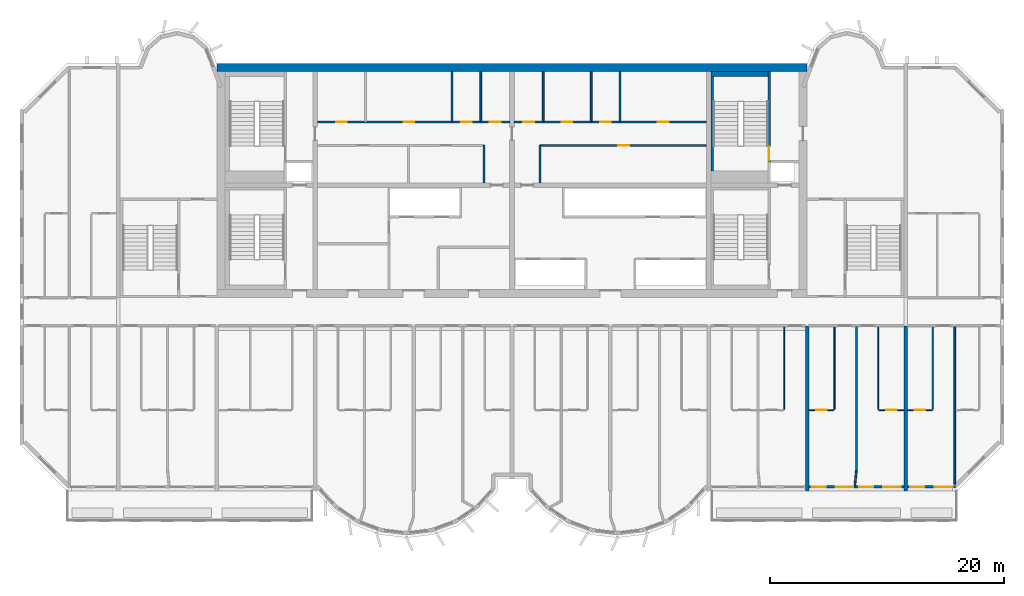
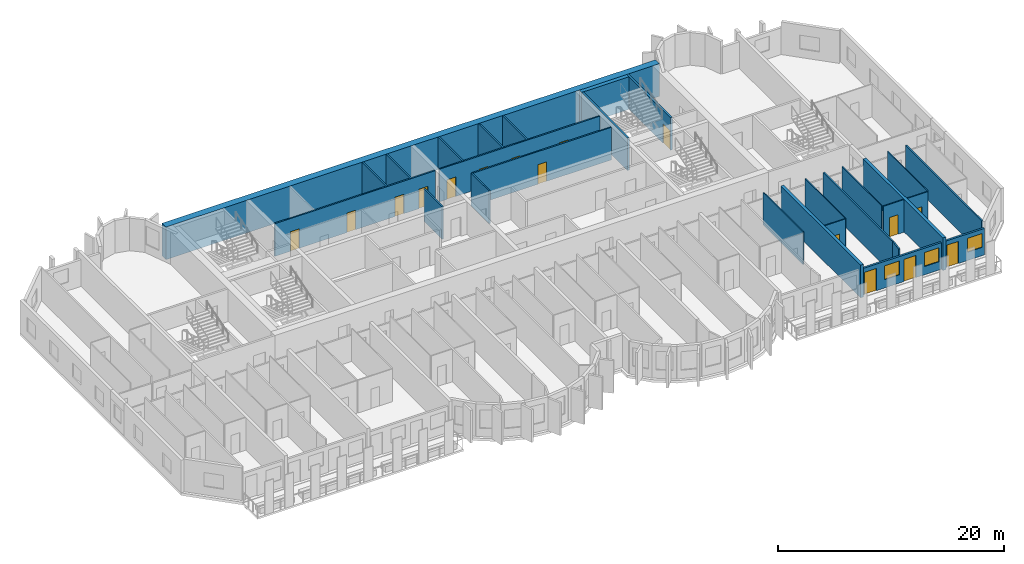
# One storey, part 8 of 13: 28 walls, 16 doors, 3 windows, 19 openings.
"""IFC4 building model written with IfcOpenShell, lengths in metres."""

import ifcopenshell
import ifcopenshell.guid

model = None  # the IFC model being written
_history = None  # IfcOwnerHistory: only IFC2X3 demands one
_inside = {}  # id of a spatial element -> (the spatial element, [elements in it])
_under = {}  # id of a project, library or spatial element -> (it, [spatial elements below it])
_declared = {}  # id of a project -> (the project, [libraries it declares])
_typed = {}  # id of a type object -> (the type object, [elements of that type])
_made_of = {}  # id of a material, layer set ... -> (it, [elements and type objects made of it])


def new_model(schema):
    """Start an empty IFC model of exactly this schema.

    Asked for "IFC4X3", IfcOpenShell would pick the latest addendum, in which some entities
    have other attributes; the version numbers below select the first issue.
    IFC2X3 requires an IfcOwnerHistory on every rooted entity: one is made here for all.
    """
    global model, _history
    if schema == "IFC4X3":
        model = ifcopenshell.file(schema_version=(4, 3, 0, 0))
    else:
        model = ifcopenshell.file(schema=schema)
    _inside.clear()
    _under.clear()
    _declared.clear()
    _typed.clear()
    _made_of.clear()
    _history = None
    if model.schema == "IFC2X3":
        org = make("IfcOrganization", Name="unknown")
        user = make(
            "IfcPersonAndOrganization",
            ThePerson=make("IfcPerson", FamilyName="unknown"),
            TheOrganization=org,
        )
        app = make(
            "IfcApplication",
            ApplicationDeveloper=org,
            Version="unknown",
            ApplicationFullName="unknown",
            ApplicationIdentifier="unknown",
        )
        _history = make(
            "IfcOwnerHistory",
            OwningUser=user,
            OwningApplication=app,
            ChangeAction="ADDED",
            CreationDate=0,
        )
    return model


def make(cls, **values):
    """One entity of the class cls with the attributes given. An attribute that is None is left unset."""
    return model.create_entity(
        cls, **{name: value for name, value in values.items() if value is not None}
    )


def rooted(cls, **values):
    """An entity with a GlobalId (a new one), such as an element, a storey or a relation."""
    return make(cls, GlobalId=ifcopenshell.guid.new(), OwnerHistory=_history, **values)


def si_unit(unit_type, name, prefix=None):
    """IfcSIUnit, for example si_unit("LENGTHUNIT", "METRE", prefix="MILLI")."""
    return make("IfcSIUnit", UnitType=unit_type, Prefix=prefix, Name=name)


def assignment(units):
    """IfcUnitAssignment: the units of a project."""
    return None if units is None else make("IfcUnitAssignment", Units=units)


def point(xyz):
    """IfcCartesianPoint."""
    return None if xyz is None else make("IfcCartesianPoint", Coordinates=xyz)


def direction(xyz):
    """IfcDirection."""
    return None if xyz is None else make("IfcDirection", DirectionRatios=xyz)


def frame(location, z_axis=None, x_axis=None):
    """IfcAxis2Placement3D, a coordinate frame: its origin and axes. An axis left out is left unset."""
    return make(
        "IfcAxis2Placement3D",
        Location=point(location),
        Axis=direction(z_axis),
        RefDirection=direction(x_axis),
    )


def frame_2d(location, x_axis=None):
    """IfcAxis2Placement2D, a coordinate frame in the plane: its origin and x axis."""
    return make(
        "IfcAxis2Placement2D", Location=point(location), RefDirection=direction(x_axis)
    )


def origin():
    """The frame at (0, 0, 0) with its axes left unset."""
    return frame((0.0, 0.0, 0.0))


def place(relative_to, where):
    """IfcLocalPlacement: puts the frame where relative to a parent placement (None: the world)."""
    return make(
        "IfcLocalPlacement", PlacementRelTo=relative_to, RelativePlacement=where
    )


def context(
    kind, dimensions, precision=None, world=None, true_north=None, identifier=None
):
    """IfcGeometricRepresentationContext, for example the 3D "Model" context."""
    return make(
        "IfcGeometricRepresentationContext",
        ContextIdentifier=identifier,
        ContextType=kind,
        CoordinateSpaceDimension=dimensions,
        Precision=precision,
        WorldCoordinateSystem=world,
        TrueNorth=true_north,
    )


def subcontext(parent, identifier, kind, view, scale=None):
    """IfcGeometricRepresentationSubContext, for example "Body" below "Model"."""
    return make(
        "IfcGeometricRepresentationSubContext",
        ContextIdentifier=identifier,
        ContextType=kind,
        ParentContext=parent,
        TargetScale=scale,
        TargetView=view,
    )


def project(units=None, contexts=None):
    """IfcProject with its units and contexts."""
    return rooted(
        "IfcProject",
        Name="project",
        RepresentationContexts=contexts,
        UnitsInContext=assignment(units),
    )


def spatial(cls, under=None, at=None, **own):
    """A site, building, storey or space (cls), placed at a placement, below another one or the project."""
    s = rooted(cls, ObjectPlacement=at, **own)
    if under is not None:
        _under.setdefault(under.id(), (under, []))[1].append(s)
    return s


def profile(cls, at=None, kind="AREA", **sizes):
    """A parametric profile (cls). Its sizes go by their IFC names, for example OverallWidth=200.0."""
    return make(cls, ProfileType=kind, Position=at, **sizes)


def rectangle(**sizes):
    """IfcRectangleProfileDef."""
    return profile("IfcRectangleProfileDef", **sizes)


def extrude(swept, where, along, depth):
    """IfcExtrudedAreaSolid: the profile swept, set in the frame where, extruded along a direction by depth."""
    return make(
        "IfcExtrudedAreaSolid",
        SweptArea=swept,
        Position=where,
        ExtrudedDirection=direction(along),
        Depth=depth,
    )


def shape(context_of_items, identifier, shape_type, items):
    """IfcShapeRepresentation: the items that make up one representation, for example the "Body"."""
    return make(
        "IfcShapeRepresentation",
        ContextOfItems=context_of_items,
        RepresentationIdentifier=identifier,
        RepresentationType=shape_type,
        Items=items,
    )


def source(mapping_origin, context_of_items, identifier, shape_type, items):
    """IfcRepresentationMap: a shape defined once, which mapped items show again and again."""
    return make(
        "IfcRepresentationMap",
        MappingOrigin=mapping_origin,
        MappedRepresentation=shape(context_of_items, identifier, shape_type, items),
    )


def transform(
    local_origin,
    x_axis=None,
    y_axis=None,
    z_axis=None,
    scale=None,
    scale2=None,
    scale3=None,
    uniform=True,
):
    """IfcCartesianTransformationOperator3D, or its non-uniform kind. x_axis, y_axis, z_axis: its Axis1, 2, 3."""
    if uniform:
        return make(
            "IfcCartesianTransformationOperator3D",
            Axis1=direction(x_axis),
            Axis2=direction(y_axis),
            LocalOrigin=point(local_origin),
            Scale=scale,
            Axis3=direction(z_axis),
        )
    return make(
        "IfcCartesianTransformationOperator3DnonUniform",
        Axis1=direction(x_axis),
        Axis2=direction(y_axis),
        LocalOrigin=point(local_origin),
        Scale=scale,
        Axis3=direction(z_axis),
        Scale2=scale2,
        Scale3=scale3,
    )


def mapped(mapping_source, mapping_target):
    """IfcMappedItem: shows the shape of a source again, moved by a transform."""
    return make(
        "IfcMappedItem", MappingSource=mapping_source, MappingTarget=mapping_target
    )


def material(Name=None, Category=None):
    """IfcMaterial."""
    return make("IfcMaterial", Name=Name, Category=Category)


def layer(
    of_material, thickness, ventilated=None, Name=None, Category=None, Priority=None
):
    """IfcMaterialLayer: one layer of a wall or slab, of a material (None: an air gap)."""
    return make(
        "IfcMaterialLayer",
        Material=of_material,
        LayerThickness=thickness,
        IsVentilated=ventilated,
        Name=Name,
        Category=Category,
        Priority=Priority,
    )


def layer_set(layers, Name=None):
    """IfcMaterialLayerSet."""
    return make("IfcMaterialLayerSet", MaterialLayers=layers, LayerSetName=Name)


def made_of(thing, what):
    """Note that an element or type object is made of a material, layer set ...; save() writes the relation."""
    if what is not None:
        _made_of.setdefault(what.id(), (what, []))[1].append(thing)
    return thing


def type_object(cls, material=None, **own):
    """A type object (cls), such as IfcWallType, which elements share."""
    return made_of(rooted(cls, **own), material)


def element(
    cls,
    number,
    at=None,
    inside=None,
    cuts=None,
    type_object=None,
    material=None,
    context=None,
    identifier="Body",
    shape_type=None,
    held_by="IfcProductDefinitionShape",
    body=None,
    shapes=None,
    **own,
):
    """One element of the class cls, such as IfcWall. Its Tag is "e" and its number.

    at: its placement. inside: the storey or other place that contains it. cuts: it is an
    opening in that element (IfcRelVoidsElement). A single representation is given by context,
    identifier, shape_type and body (its items); several are given by shapes. held_by: the class
    of the entity that holds the representations. save() writes the other relations.
    """
    e = rooted(cls, Tag="e%d" % number, ObjectPlacement=at, **own)
    if body is not None:
        shapes = [shape(context, identifier, shape_type, body)]
    if shapes is not None:
        e.Representation = make(held_by, Representations=shapes)
    if inside is not None:
        _inside.setdefault(inside.id(), (inside, []))[1].append(e)
    if cuts is not None:
        rooted(
            "IfcRelVoidsElement", RelatingBuildingElement=cuts, RelatedOpeningElement=e
        )
    if type_object is not None:
        _typed.setdefault(type_object.id(), (type_object, []))[1].append(e)
    return made_of(e, material)


def fill(opening, filler):
    """IfcRelFillsElement: the door or window that sits in an opening."""
    return rooted(
        "IfcRelFillsElement",
        RelatingOpeningElement=opening,
        RelatedBuildingElement=filler,
    )


def aggregate(whole, parts):
    """IfcRelAggregates: a whole, such as a stair, and the parts it consists of."""
    return rooted("IfcRelAggregates", RelatingObject=whole, RelatedObjects=parts)


def save(model, path):
    """Write the relations noted so far, then the file.

    IfcRelAggregates (storeys below a building ...), IfcRelContainedInSpatialStructure (elements
    in a storey), IfcRelDefinesByType, IfcRelAssociatesMaterial and IfcRelDeclares: one each for
    every whole, place, type object, material and project.
    """
    for whole, parts in _under.values():
        aggregate(whole, parts)
    for where, things in _inside.values():
        rooted(
            "IfcRelContainedInSpatialStructure",
            RelatedElements=things,
            RelatingStructure=where,
        )
    for kind, things in _typed.values():
        rooted("IfcRelDefinesByType", RelatedObjects=things, RelatingType=kind)
    for what, things in _made_of.values():
        rooted("IfcRelAssociatesMaterial", RelatedObjects=things, RelatingMaterial=what)
    for by, libraries in _declared.values():
        rooted("IfcRelDeclares", RelatingContext=by, RelatedDefinitions=libraries)
    model.write(path)


model = new_model("IFC4")

# Units and contexts
model_context = context("Model", 3, precision=1e-05, world=origin(), true_north=direction((0.0, 1.0)))
body_context = subcontext(model_context, "Body", "Model", "MODEL_VIEW")
ifc_project = project(units=[si_unit("LENGTHUNIT", "METRE"), si_unit("AREAUNIT", "SQUARE_METRE"), si_unit("VOLUMEUNIT", "CUBIC_METRE"), si_unit("PLANEANGLEUNIT", "RADIAN"), si_unit("MASSUNIT", "GRAM", prefix="KILO")], contexts=[model_context])

# Site, building, storey
site_placement = place(None, origin())
site = spatial("IfcSite", under=ifc_project, at=site_placement, CompositionType="ELEMENT")
building_placement = place(site_placement, origin())
building = spatial("IfcBuilding", under=site, at=building_placement, Name="Vanashikhar Sky Hotel", CompositionType="ELEMENT")
storey_placement = place(building_placement, frame((0.0, 0.0, 178.199951171875)))
storey = spatial("IfcBuildingStorey", under=building, at=storey_placement, Name="L43", CompositionType="ELEMENT", Elevation=178.199951171875)

# Walls
ifc_material_1 = material(Name="Concrete M60", Category="concrete")
ifc_layer_1 = layer(ifc_material_1, 0.699951171875)
ifc_layer_set_1 = layer_set([ifc_layer_1], Name="RC core shell wall 700 Concrete M60")
wall_type_1 = type_object("IfcWallType", Name="RC core shell wall 700 Concrete M60", PredefinedType="SHEAR", material=ifc_layer_set_1)
shared_shape_1 = source(origin(), body_context, "Body", "SweptSolid", [
    extrude(rectangle(XDim=50.400146484375, YDim=0.699951171875, at=frame_2d((25.2001953125, 0.0))), origin(), (0.0, 0.0, 1.0), 3.52001953125),
])
wall_1_placement = place(storey_placement, frame((25.199951171875, 41.64990234375, 0.0), z_axis=(0.0, 0.0, 1.0), x_axis=(1.0, 0.0, 0.0)))
element("IfcWall", 1, at=wall_1_placement, inside=storey, type_object=wall_type_1, Name="KW-L43-KN", PredefinedType="SHEAR", context=body_context, shape_type="MappedRepresentation", body=[
    mapped(shared_shape_1, transform((0.0, 0.0, 0.0), scale=1.0)),
])
ifc_layer_2 = layer(ifc_material_1, 0.300048828125)
ifc_layer_set_2 = layer_set([ifc_layer_2], Name="RC shear wall 300 Concrete M60")
wall_type_2 = type_object("IfcWallType", Name="RC shear wall 300 Concrete M60", PredefinedType="SHEAR", material=ifc_layer_set_2)
shared_shape_2 = source(origin(), body_context, "Body", "SweptSolid", [
    extrude(rectangle(XDim=14.10009765625, YDim=0.300048828125, at=frame_2d((7.050048828125, 0.0))), origin(), (0.0, 0.0, 1.0), 3.52001953125),
])
for number, where, z_axis, x_axis, name in (
    (2, (75.60009765625, 5.5, 0.0), (0.0, 0.0, 1.0), (0.0, 1.0, 0.0), "CW-L43-XW10-1"),
    (3, (84.0, 5.5, 0.0), (0.0, 0.0, 1.0), (0.0, 1.0, 0.0), "CW-L43-XW11-1"),
):
    element("IfcWall", number, at=place(storey_placement, frame(where, z_axis=z_axis, x_axis=x_axis)), inside=storey, type_object=wall_type_2, Name=name, PredefinedType="SHEAR", context=body_context, shape_type="MappedRepresentation", body=[
        mapped(shared_shape_2, transform((0.0, 0.0, 0.0), scale=1.0)),
    ])

# Wall, openings, window, door
ifc_material_2 = material(Name="Concrete M50", Category="concrete")
ifc_layer_3 = layer(ifc_material_2, 0.199951171875)
ifc_layer_set_3 = layer_set([ifc_layer_3], Name="Front window wall 200")
wall_type_3 = type_object("IfcWallType", Name="Front window wall 200", PredefinedType="SOLIDWALL", material=ifc_layer_set_3)
shared_shape_3 = source(origin(), body_context, "Body", "SweptSolid", [
    extrude(rectangle(XDim=4.10498046875, YDim=0.199951171875, at=frame_2d((2.052490234375, 0.0))), origin(), (0.0, 0.0, 1.0), 2.8701171875),
])
wall_2_placement = place(storey_placement, frame((84.14990234375, 5.85009765625, 0.0), z_axis=(0.0, 0.0, 1.0), x_axis=(1.0, 0.0, 0.0)))
wall_2 = element("IfcWall", 4, at=wall_2_placement, inside=storey, type_object=wall_type_3, Name="Front window wall", PredefinedType="SOLIDWALL", context=body_context, shape_type="MappedRepresentation", body=[
    mapped(shared_shape_3, transform((0.0, 0.0, 0.0), scale=1.0)),
])
shared_shape_4 = source(origin(), body_context, "Body", "SweptSolid", [
    extrude(rectangle(XDim=1.199951171875, YDim=2.39990234375, at=frame_2d((0.60009765625, 1.199951171875))), frame((0.0, 0.10986328125, 0.0), z_axis=(0.0, -1.0, 0.0), x_axis=(1.0, 0.0, 0.0)), (0.0, 0.0, 1.0), 0.219970703125),
])
opening_1_placement = place(wall_2_placement, frame((0.25, 0.0, 0.0)))
opening_1 = element("IfcOpeningElement", 5, at=opening_1_placement, cuts=wall_2, Name="Opening BD-10", PredefinedType="OPENING", context=body_context, shape_type="MappedRepresentation", body=[
    mapped(shared_shape_4, transform((0.0, 0.0, 0.0), scale=1.0)),
])
shared_shape_5 = source(origin(), body_context, "Body", "SweptSolid", [
    extrude(rectangle(XDim=1.5, YDim=1.5, at=frame_2d((0.75, 0.75))), frame((0.0, 0.10986328125, 0.0), z_axis=(0.0, -1.0, 0.0), x_axis=(1.0, 0.0, 0.0)), (0.0, 0.0, 1.0), 0.219970703125),
])
opening_2_placement = place(wall_2_placement, frame((2.35498046875, 0.0, 0.89990234375)))
opening_2 = element("IfcOpeningElement", 6, at=opening_2_placement, cuts=wall_2, Name="Opening WN-1", PredefinedType="OPENING", context=body_context, shape_type="MappedRepresentation", body=[
    mapped(shared_shape_5, transform((0.0, 0.0, 0.0), scale=1.0)),
])
ifc_material_3 = material(Name="Glass", Category="glass")
window_type = type_object("IfcWindowType", Name="Window 1500 x 1500", PartitioningType="SINGLE_PANEL", PredefinedType="WINDOW", material=ifc_material_3)
shared_shape_6 = source(origin(), body_context, "Body", "SweptSolid", [
    extrude(rectangle(XDim=1.5, YDim=1.5, at=frame_2d((0.75, 0.75))), frame((0.0, 0.030029296875, 0.0), z_axis=(0.0, -1.0, 0.0), x_axis=(1.0, 0.0, 0.0)), (0.0, 0.0, 1.0), 0.06005859375),
])
window_1_placement = place(opening_2_placement, origin())
window_1 = element("IfcWindow", 7, at=window_1_placement, inside=storey, type_object=window_type, Name="Window WN-1", OverallHeight=1.5, OverallWidth=1.5, PartitioningType="SINGLE_PANEL", PredefinedType="WINDOW", context=body_context, shape_type="MappedRepresentation", body=[
    mapped(shared_shape_6, transform((0.0, 0.0, 0.0), scale=1.0)),
])
fill(opening_2, window_1)
ifc_material_4 = material(Name="Aluminium", Category="aluminium")
door_type_1 = type_object("IfcDoorType", Name="Balcony sliding door 1200 x 2400", OperationType="NOTDEFINED", PredefinedType="DOOR", material=ifc_material_4)
shared_shape_7 = source(origin(), body_context, "Body", "SweptSolid", [
    extrude(rectangle(XDim=1.199951171875, YDim=2.39990234375, at=frame_2d((0.60009765625, 1.199951171875))), frame((0.0, 0.02490234375, 0.0), z_axis=(0.0, -1.0, 0.0), x_axis=(1.0, 0.0, 0.0)), (0.0, 0.0, 1.0), 0.050048828125),
])
door_1_placement = place(opening_1_placement, origin())
door_1 = element("IfcDoor", 8, at=door_1_placement, inside=storey, type_object=door_type_1, Name="Balcony sliding door", OperationType="SLIDING_TO_RIGHT", OverallHeight=2.39990234375, OverallWidth=1.199951171875, PredefinedType="DOOR", context=body_context, shape_type="MappedRepresentation", body=[
    mapped(shared_shape_7, transform((0.0, 0.0, 0.0), scale=1.0)),
])
fill(opening_1, door_1)

# Wall, openings, windows, doors
shared_shape_8 = source(origin(), body_context, "Body", "SweptSolid", [
    extrude(rectangle(XDim=8.10009765625, YDim=0.199951171875, at=frame_2d((4.050048828125, 0.0))), origin(), (0.0, 0.0, 1.0), 2.8701171875),
])
wall_3_placement = place(storey_placement, frame((75.75, 5.85009765625, 0.0), z_axis=(0.0, 0.0, 1.0), x_axis=(1.0, 0.0, 0.0)))
wall_3 = element("IfcWall", 9, at=wall_3_placement, inside=storey, type_object=wall_type_3, Name="Front window wall", PredefinedType="SOLIDWALL", context=body_context, shape_type="MappedRepresentation", body=[
    mapped(shared_shape_8, transform((0.0, 0.0, 0.0), scale=1.0)),
])
opening_3_placement = place(wall_3_placement, frame((0.25, 0.0, 0.0)))
opening_3 = element("IfcOpeningElement", 10, at=opening_3_placement, cuts=wall_3, Name="Opening BD-08", PredefinedType="OPENING", context=body_context, shape_type="MappedRepresentation", body=[
    mapped(shared_shape_4, transform((0.0, 0.0, 0.0), scale=1.0)),
])
opening_4_placement = place(wall_3_placement, frame((2.300048828125, 0.0, 0.89990234375)))
opening_4 = element("IfcOpeningElement", 11, at=opening_4_placement, cuts=wall_3, Name="Opening WN-1", PredefinedType="OPENING", context=body_context, shape_type="MappedRepresentation", body=[
    mapped(shared_shape_5, transform((0.0, 0.0, 0.0), scale=1.0)),
])
opening_5_placement = place(wall_3_placement, frame((4.300048828125, 0.0, 0.0)))
opening_5 = element("IfcOpeningElement", 12, at=opening_5_placement, cuts=wall_3, Name="Opening BD-09", PredefinedType="OPENING", context=body_context, shape_type="MappedRepresentation", body=[
    mapped(shared_shape_4, transform((0.0, 0.0, 0.0), scale=1.0)),
])
opening_6_placement = place(wall_3_placement, frame((6.35009765625, 0.0, 0.89990234375)))
opening_6 = element("IfcOpeningElement", 13, at=opening_6_placement, cuts=wall_3, Name="Opening WN-1", PredefinedType="OPENING", context=body_context, shape_type="MappedRepresentation", body=[
    mapped(shared_shape_5, transform((0.0, 0.0, 0.0), scale=1.0)),
])
window_2_placement = place(opening_4_placement, origin())
window_2 = element("IfcWindow", 14, at=window_2_placement, inside=storey, type_object=window_type, Name="Window WN-1", OverallHeight=1.5, OverallWidth=1.5, PartitioningType="SINGLE_PANEL", PredefinedType="WINDOW", context=body_context, shape_type="MappedRepresentation", body=[
    mapped(shared_shape_6, transform((0.0, 0.0, 0.0), scale=1.0)),
])
fill(opening_4, window_2)
window_3_placement = place(opening_6_placement, origin())
window_3 = element("IfcWindow", 15, at=window_3_placement, inside=storey, type_object=window_type, Name="Window WN-1", OverallHeight=1.5, OverallWidth=1.5, PartitioningType="SINGLE_PANEL", PredefinedType="WINDOW", context=body_context, shape_type="MappedRepresentation", body=[
    mapped(shared_shape_6, transform((0.0, 0.0, 0.0), scale=1.0)),
])
fill(opening_6, window_3)
door_2_placement = place(opening_3_placement, origin())
door_2 = element("IfcDoor", 16, at=door_2_placement, inside=storey, type_object=door_type_1, Name="Balcony sliding door", OperationType="SLIDING_TO_RIGHT", OverallHeight=2.39990234375, OverallWidth=1.199951171875, PredefinedType="DOOR", context=body_context, shape_type="MappedRepresentation", body=[
    mapped(shared_shape_7, transform((0.0, 0.0, 0.0), scale=1.0)),
])
fill(opening_3, door_2)
door_3_placement = place(opening_5_placement, origin())
door_3 = element("IfcDoor", 17, at=door_3_placement, inside=storey, type_object=door_type_1, Name="Balcony sliding door", OperationType="SLIDING_TO_LEFT", OverallHeight=2.39990234375, OverallWidth=1.199951171875, PredefinedType="DOOR", context=body_context, shape_type="MappedRepresentation", body=[
    mapped(shared_shape_7, transform((0.0, 0.0, 0.0), scale=1.0)),
])
fill(opening_5, door_3)

# Walls
ifc_layer_4 = layer(ifc_material_2, 0.199951171875)
ifc_layer_set_4 = layer_set([ifc_layer_4], Name="Stair infill wall 200")
wall_type_4 = type_object("IfcWallType", Name="Stair infill wall 200", PredefinedType="SOLIDWALL", material=ifc_layer_set_4)
shared_shape_9 = source(origin(), body_context, "Body", "SweptSolid", [
    extrude(rectangle(XDim=8.099853515625, YDim=0.199951171875, at=frame_2d((4.0498046875, 0.0))), origin(), (0.0, 0.0, 1.0), 3.52001953125),
])
wall_4_placement = place(storey_placement, frame((67.5, 32.800048828125, 0.0), z_axis=(0.0, 0.0, 1.0), x_axis=(0.0, 1.0, 0.0)))
element("IfcWall", 18, at=wall_4_placement, inside=storey, type_object=wall_type_4, Name="Stair infill wall 200", PredefinedType="SOLIDWALL", context=body_context, shape_type="MappedRepresentation", body=[
    mapped(shared_shape_9, transform((0.0, 0.0, 0.0), scale=1.0)),
])
ifc_material_5 = material(Name="Gypsum board partition")
ifc_layer_5 = layer(ifc_material_5, 0.14990234375)
ifc_layer_set_5 = layer_set([ifc_layer_5], Name="Service partition 150")
wall_type_5 = type_object("IfcWallType", Name="Service partition 150", PredefinedType="PARTITIONING", material=ifc_layer_set_5)
shared_shape_10 = source(origin(), body_context, "Body", "SweptSolid", [
    extrude(rectangle(XDim=3.199951171875, YDim=0.14990234375, at=frame_2d((1.60009765625, 0.0))), origin(), (0.0, 0.0, 1.0), 3.52001953125),
])
for number, where, z_axis, x_axis, name in (
    (19, (48.0, 31.800048828125, 0.0), (0.0, 0.0, 1.0), (0.0, 1.0, 0.0), "Service partition 150"),
    (20, (52.800048828125, 31.800048828125, 0.0), (0.0, 0.0, 1.0), (0.0, 1.0, 0.0), "Service partition 150"),
):
    element("IfcWall", number, at=place(storey_placement, frame(where, z_axis=z_axis, x_axis=x_axis)), inside=storey, type_object=wall_type_5, Name=name, PredefinedType="PARTITIONING", context=body_context, shape_type="MappedRepresentation", body=[
        mapped(shared_shape_10, transform((0.0, 0.0, 0.0), scale=1.0)),
    ])

# Wall, opening, door
shared_shape_11 = source(origin(), body_context, "Body", "SweptSolid", [
    extrude(rectangle(XDim=14.199951171875, YDim=0.14990234375, at=frame_2d((7.10009765625, 0.0))), origin(), (0.0, 0.0, 1.0), 3.52001953125),
])
wall_5_placement = place(storey_placement, frame((67.0, 35.0, 0.0), z_axis=(0.0, 0.0, 1.0), x_axis=(-1.0, 0.0, 0.0)))
wall_5 = element("IfcWall", 21, at=wall_5_placement, inside=storey, type_object=wall_type_5, Name="Service partition 150", PredefinedType="PARTITIONING", context=body_context, shape_type="MappedRepresentation", body=[
    mapped(shared_shape_11, transform((0.0, 0.0, 0.0), scale=1.0)),
])
shared_shape_12 = source(origin(), body_context, "Body", "SweptSolid", [
    extrude(rectangle(XDim=0.89990234375, YDim=2.10009765625, at=frame_2d((0.449951171875, 1.050048828125))), frame((0.0, 0.0849609375, 0.0), z_axis=(0.0, -1.0, 0.0), x_axis=(1.0, 0.0, 0.0)), (0.0, 0.0, 1.0), 0.169921875),
])
opening_7_placement = place(wall_5_placement, frame((6.612060546875, 0.0, 0.0)))
opening_7 = element("IfcOpeningElement", 22, at=opening_7_placement, cuts=wall_5, Name="Opening DC-4-A", PredefinedType="OPENING", context=body_context, shape_type="MappedRepresentation", body=[
    mapped(shared_shape_12, transform((0.0, 0.0, 0.0), scale=1.0)),
])
ifc_material_6 = material(Name="Steel", Category="steel")
door_type_2 = type_object("IfcDoorType", Name="Service door 900 FD60", OperationType="NOTDEFINED", PredefinedType="DOOR", material=ifc_material_6)
shared_shape_13 = source(origin(), body_context, "Body", "SweptSolid", [
    extrude(rectangle(XDim=0.89990234375, YDim=2.10009765625, at=frame_2d((0.449951171875, 1.050048828125))), frame((0.0, 0.02490234375, 0.0), z_axis=(0.0, -1.0, 0.0), x_axis=(1.0, 0.0, 0.0)), (0.0, 0.0, 1.0), 0.050048828125),
])
door_4_placement = place(opening_7_placement, origin())
door_4 = element("IfcDoor", 23, at=door_4_placement, inside=storey, type_object=door_type_2, Name="Service door 900 FD60", OperationType="SINGLE_SWING_LEFT", OverallHeight=2.10009765625, OverallWidth=0.89990234375, PredefinedType="DOOR", context=body_context, shape_type="MappedRepresentation", body=[
    mapped(shared_shape_13, transform((0.0, 0.0, 0.0), scale=1.0)),
])
fill(opening_7, door_4)

# Wall, openings, doors
shared_shape_14 = source(origin(), body_context, "Body", "SweptSolid", [
    extrude(rectangle(XDim=16.39990234375, YDim=0.14990234375, at=frame_2d((8.199951171875, 0.0))), origin(), (0.0, 0.0, 1.0), 3.52001953125),
])
wall_6_placement = place(storey_placement, frame((33.800048828125, 37.0, 0.0), z_axis=(0.0, 0.0, 1.0), x_axis=(1.0, 0.0, 0.0)))
wall_6 = element("IfcWall", 24, at=wall_6_placement, inside=storey, type_object=wall_type_5, Name="Service partition 150", PredefinedType="PARTITIONING", context=body_context, shape_type="MappedRepresentation", body=[
    mapped(shared_shape_14, transform((0.0, 0.0, 0.0), scale=1.0)),
])
opening_8_placement = place(wall_6_placement, frame((1.60009765625, 0.0, 0.0)))
opening_8 = element("IfcOpeningElement", 25, at=opening_8_placement, cuts=wall_6, Name="Opening DC-4-A", PredefinedType="OPENING", context=body_context, shape_type="MappedRepresentation", body=[
    mapped(shared_shape_12, transform((0.0, 0.0, 0.0), scale=1.0)),
])
opening_9_placement = place(wall_6_placement, frame((7.340087890625, 0.0, 0.0)))
opening_9 = element("IfcOpeningElement", 26, at=opening_9_placement, cuts=wall_6, Name="Opening DC-4-A", PredefinedType="OPENING", context=body_context, shape_type="MappedRepresentation", body=[
    mapped(shared_shape_12, transform((0.0, 0.0, 0.0), scale=1.0)),
])
opening_10_placement = place(wall_6_placement, frame((12.260009765625, 0.0, 0.0)))
opening_10 = element("IfcOpeningElement", 27, at=opening_10_placement, cuts=wall_6, Name="Opening DC-4-A", PredefinedType="OPENING", context=body_context, shape_type="MappedRepresentation", body=[
    mapped(shared_shape_12, transform((0.0, 0.0, 0.0), scale=1.0)),
])
opening_11_placement = place(wall_6_placement, frame((14.719970703125, 0.0, 0.0)))
opening_11 = element("IfcOpeningElement", 28, at=opening_11_placement, cuts=wall_6, Name="Opening DC-4-A", PredefinedType="OPENING", context=body_context, shape_type="MappedRepresentation", body=[
    mapped(shared_shape_12, transform((0.0, 0.0, 0.0), scale=1.0)),
])
door_5_placement = place(opening_8_placement, origin())
door_5 = element("IfcDoor", 29, at=door_5_placement, inside=storey, type_object=door_type_2, Name="Service door 900 FD60", OperationType="SINGLE_SWING_RIGHT", OverallHeight=2.10009765625, OverallWidth=0.89990234375, PredefinedType="DOOR", context=body_context, shape_type="MappedRepresentation", body=[
    mapped(shared_shape_13, transform((0.0, 0.0, 0.0), scale=1.0)),
])
fill(opening_8, door_5)
door_6_placement = place(opening_9_placement, origin())
door_6 = element("IfcDoor", 30, at=door_6_placement, inside=storey, type_object=door_type_2, Name="Service door 900 FD60", OperationType="SINGLE_SWING_LEFT", OverallHeight=2.10009765625, OverallWidth=0.89990234375, PredefinedType="DOOR", context=body_context, shape_type="MappedRepresentation", body=[
    mapped(shared_shape_13, transform((0.0, 0.0, 0.0), scale=1.0)),
])
fill(opening_9, door_6)
door_7_placement = place(opening_10_placement, origin())
door_7 = element("IfcDoor", 31, at=door_7_placement, inside=storey, type_object=door_type_2, Name="Service door 900 FD60", OperationType="SINGLE_SWING_LEFT", OverallHeight=2.10009765625, OverallWidth=0.89990234375, PredefinedType="DOOR", context=body_context, shape_type="MappedRepresentation", body=[
    mapped(shared_shape_13, transform((0.0, 0.0, 0.0), scale=1.0)),
])
fill(opening_10, door_7)
door_8_placement = place(opening_11_placement, origin())
door_8 = element("IfcDoor", 32, at=door_8_placement, inside=storey, type_object=door_type_2, Name="Service door 900 FD60", OperationType="SINGLE_SWING_LEFT", OverallHeight=2.10009765625, OverallWidth=0.89990234375, PredefinedType="DOOR", context=body_context, shape_type="MappedRepresentation", body=[
    mapped(shared_shape_13, transform((0.0, 0.0, 0.0), scale=1.0)),
])
fill(opening_11, door_8)

wall_7_placement = place(storey_placement, frame((67.0, 37.0, 0.0), z_axis=(0.0, 0.0, 1.0), x_axis=(-1.0, 0.0, 0.0)))
wall_7 = element("IfcWall", 33, at=wall_7_placement, inside=storey, type_object=wall_type_5, Name="Service partition 150", PredefinedType="PARTITIONING", context=body_context, shape_type="MappedRepresentation", body=[
    mapped(shared_shape_14, transform((0.0, 0.0, 0.0), scale=1.0)),
])
opening_12_placement = place(wall_7_placement, frame((3.239990234375, 0.0, 0.0)))
opening_12 = element("IfcOpeningElement", 34, at=opening_12_placement, cuts=wall_7, Name="Opening DC-4-A", PredefinedType="OPENING", context=body_context, shape_type="MappedRepresentation", body=[
    mapped(shared_shape_12, transform((0.0, 0.0, 0.0), scale=1.0)),
])
opening_13_placement = place(wall_7_placement, frame((8.159912109375, 0.0, 0.0)))
opening_13 = element("IfcOpeningElement", 35, at=opening_13_placement, cuts=wall_7, Name="Opening DC-4-A", PredefinedType="OPENING", context=body_context, shape_type="MappedRepresentation", body=[
    mapped(shared_shape_12, transform((0.0, 0.0, 0.0), scale=1.0)),
])
opening_14_placement = place(wall_7_placement, frame((11.43994140625, 0.0, 0.0)))
opening_14 = element("IfcOpeningElement", 36, at=opening_14_placement, cuts=wall_7, Name="Opening DC-4-A", PredefinedType="OPENING", context=body_context, shape_type="MappedRepresentation", body=[
    mapped(shared_shape_12, transform((0.0, 0.0, 0.0), scale=1.0)),
])
opening_15_placement = place(wall_7_placement, frame((14.719970703125, 0.0, 0.0)))
opening_15 = element("IfcOpeningElement", 37, at=opening_15_placement, cuts=wall_7, Name="Opening DC-4-A", PredefinedType="OPENING", context=body_context, shape_type="MappedRepresentation", body=[
    mapped(shared_shape_12, transform((0.0, 0.0, 0.0), scale=1.0)),
])
door_9_placement = place(opening_12_placement, origin())
door_9 = element("IfcDoor", 38, at=door_9_placement, inside=storey, type_object=door_type_2, Name="Service door 900 FD60", OperationType="SINGLE_SWING_RIGHT", OverallHeight=2.10009765625, OverallWidth=0.89990234375, PredefinedType="DOOR", context=body_context, shape_type="MappedRepresentation", body=[
    mapped(shared_shape_13, transform((0.0, 0.0, 0.0), scale=1.0)),
])
fill(opening_12, door_9)
door_10_placement = place(opening_13_placement, origin())
door_10 = element("IfcDoor", 39, at=door_10_placement, inside=storey, type_object=door_type_2, Name="Service door 900 FD60", OperationType="SINGLE_SWING_RIGHT", OverallHeight=2.10009765625, OverallWidth=0.89990234375, PredefinedType="DOOR", context=body_context, shape_type="MappedRepresentation", body=[
    mapped(shared_shape_13, transform((0.0, 0.0, 0.0), scale=1.0)),
])
fill(opening_13, door_10)
door_11_placement = place(opening_14_placement, origin())
door_11 = element("IfcDoor", 40, at=door_11_placement, inside=storey, type_object=door_type_2, Name="Service door 900 FD60", OperationType="SINGLE_SWING_RIGHT", OverallHeight=2.10009765625, OverallWidth=0.89990234375, PredefinedType="DOOR", context=body_context, shape_type="MappedRepresentation", body=[
    mapped(shared_shape_13, transform((0.0, 0.0, 0.0), scale=1.0)),
])
fill(opening_14, door_11)
door_12_placement = place(opening_15_placement, origin())
door_12 = element("IfcDoor", 41, at=door_12_placement, inside=storey, type_object=door_type_2, Name="Service door 900 FD60", OperationType="SINGLE_SWING_RIGHT", OverallHeight=2.10009765625, OverallWidth=0.89990234375, PredefinedType="DOOR", context=body_context, shape_type="MappedRepresentation", body=[
    mapped(shared_shape_13, transform((0.0, 0.0, 0.0), scale=1.0)),
])
fill(opening_15, door_12)

# Walls
shared_shape_15 = source(origin(), body_context, "Body", "SweptSolid", [
    extrude(rectangle(XDim=4.300048828125, YDim=0.14990234375, at=frame_2d((2.14990234375, 0.0))), origin(), (0.0, 0.0, 1.0), 3.52001953125),
])
for number, where, z_axis, x_axis, name in (
    (42, (45.280029296875, 37.0, 0.0), (0.0, 0.0, 1.0), (0.0, 1.0, 0.0), "Service partition 150"),
    (43, (47.739990234375, 37.0, 0.0), (0.0, 0.0, 1.0), (0.0, 1.0, 0.0), "Service partition 150"),
    (44, (59.6201171875, 37.0, 0.0), (0.0, 0.0, 1.0), (0.0, 1.0, 0.0), "Service partition 150"),
    (45, (57.159912109375, 37.0, 0.0), (0.0, 0.0, 1.0), (0.0, 1.0, 0.0), "Service partition 150"),
    (46, (53.06005859375, 37.0, 0.0), (0.0, 0.0, 1.0), (0.0, 1.0, 0.0), "Service partition 150"),
):
    element("IfcWall", number, at=place(storey_placement, frame(where, z_axis=z_axis, x_axis=x_axis)), inside=storey, type_object=wall_type_5, Name=name, PredefinedType="PARTITIONING", context=body_context, shape_type="MappedRepresentation", body=[
        mapped(shared_shape_15, transform((0.0, 0.0, 0.0), scale=1.0)),
    ])

# Wall, opening, door
ifc_layer_6 = layer(ifc_material_2, 0.199951171875)
ifc_layer_set_6 = layer_set([ifc_layer_6], Name="Stair wall 200")
wall_type_6 = type_object("IfcWallType", Name="Stair wall 200", PredefinedType="SOLIDWALL", material=ifc_layer_set_6)
shared_shape_16 = source(origin(), body_context, "Body", "SweptSolid", [
    extrude(rectangle(XDim=7.699951171875, YDim=0.199951171875, at=frame_2d((3.85009765625, 0.0))), origin(), (0.0, 0.0, 1.0), 3.52001953125),
])
wall_8_placement = place(storey_placement, frame((72.35009765625, 33.60009765625, 0.0), z_axis=(0.0, 0.0, 1.0), x_axis=(0.0, 1.0, 0.0)))
wall_8 = element("IfcWall", 47, at=wall_8_placement, inside=storey, type_object=wall_type_6, Name="Stair wall 200", PredefinedType="SOLIDWALL", context=body_context, shape_type="MappedRepresentation", body=[
    mapped(shared_shape_16, transform((0.0, 0.0, 0.0), scale=1.0)),
])
shared_shape_17 = source(origin(), body_context, "Body", "SweptSolid", [
    extrude(rectangle(XDim=1.199951171875, YDim=2.10009765625, at=frame_2d((0.60009765625, 1.050048828125))), frame((0.0, 0.10986328125, 0.0), z_axis=(0.0, -1.0, 0.0), x_axis=(1.0, 0.0, 0.0)), (0.0, 0.0, 1.0), 0.219970703125),
])
opening_16_placement = place(wall_8_placement, frame((0.10009765625, 0.0, 0.0)))
opening_16 = element("IfcOpeningElement", 48, at=opening_16_placement, cuts=wall_8, Name="Opening DC-1", PredefinedType="OPENING", context=body_context, shape_type="MappedRepresentation", body=[
    mapped(shared_shape_17, transform((0.0, 0.0, 0.0), scale=1.0)),
])
door_type_3 = type_object("IfcDoorType", Name="Stair door 1200 FD120", OperationType="NOTDEFINED", PredefinedType="DOOR", material=ifc_material_6)
shared_shape_18 = source(origin(), body_context, "Body", "SweptSolid", [
    extrude(rectangle(XDim=1.199951171875, YDim=2.10009765625, at=frame_2d((0.60009765625, 1.050048828125))), frame((0.0, 0.02490234375, 0.0), z_axis=(0.0, -1.0, 0.0), x_axis=(1.0, 0.0, 0.0)), (0.0, 0.0, 1.0), 0.050048828125),
])
door_13_placement = place(opening_16_placement, origin())
door_13 = element("IfcDoor", 49, at=door_13_placement, inside=storey, type_object=door_type_3, Name="Stair door 1200 FD120", OperationType="SINGLE_SWING_LEFT", OverallHeight=2.10009765625, OverallWidth=1.199951171875, PredefinedType="DOOR", context=body_context, shape_type="MappedRepresentation", body=[
    mapped(shared_shape_18, transform((0.0, 0.0, 0.0), scale=1.0)),
])
fill(opening_16, door_13)

# Walls
ifc_layer_7 = layer(ifc_material_2, 0.39990234375)
ifc_layer_set_7 = layer_set([ifc_layer_7], Name="Stair infill wall 400")
wall_type_7 = type_object("IfcWallType", Name="Stair infill wall 400", PredefinedType="SOLIDWALL", material=ifc_layer_set_7)
shared_shape_19 = source(origin(), body_context, "Body", "SweptSolid", [
    extrude(rectangle(XDim=4.85009765625, YDim=0.39990234375, at=frame_2d((2.425048828125, 0.0))), origin(), (0.0, 0.0, 1.0), 3.52001953125),
])
wall_9_placement = place(storey_placement, frame((67.39990234375, 41.10009765625, 0.0), z_axis=(0.0, 0.0, 1.0), x_axis=(1.0, 0.0, 0.0)))
element("IfcWall", 50, at=wall_9_placement, inside=storey, type_object=wall_type_7, Name="Stair infill wall 400", PredefinedType="SOLIDWALL", context=body_context, shape_type="MappedRepresentation", body=[
    mapped(shared_shape_19, transform((0.0, 0.0, 0.0), scale=1.0)),
])
ifc_material_7 = material(Name="Gypsum plasterboard partition")
ifc_layer_8 = layer(ifc_material_7, 0.10009765625)
ifc_layer_set_8 = layer_set([ifc_layer_8], Name="Wet room partition 100")
wall_type_8 = type_object("IfcWallType", Name="Wet room partition 100", PredefinedType="PARTITIONING", material=ifc_layer_set_8)
shared_shape_20 = source(origin(), body_context, "Body", "SweptSolid", [
    extrude(rectangle(XDim=7.0498046875, YDim=0.10009765625, at=frame_2d((3.52490234375, 0.0))), origin(), (0.0, 0.0, 1.0), 3.52001953125),
])
for number, where, z_axis, x_axis, name in (
    (51, (73.64990234375, 12.47509765625, 0.0), (0.0, 0.0, 1.0), (0.0, 1.0, 0.0), "W-L43-PW051"),
    (52, (77.925048828125, 12.47509765625, 0.0), (0.0, 0.0, 1.0), (0.0, 1.0, 0.0), "W-L43-PW055"),
    (53, (81.675048828125, 12.47509765625, 0.0), (0.0, 0.0, 1.0), (0.0, 1.0, 0.0), "W-L43-PW058"),
    (54, (86.324951171875, 12.47509765625, 0.0), (0.0, 0.0, 1.0), (0.0, 1.0, 0.0), "W-L43-PW062"),
):
    element("IfcWall", number, at=place(storey_placement, frame(where, z_axis=z_axis, x_axis=x_axis)), inside=storey, type_object=wall_type_8, Name=name, PredefinedType="PARTITIONING", context=body_context, shape_type="MappedRepresentation", body=[
        mapped(shared_shape_20, transform((0.0, 0.0, 0.0), scale=1.0)),
    ])
ifc_layer_9 = layer(ifc_material_7, 0.14990234375)
ifc_layer_set_9 = layer_set([ifc_layer_9], Name="Corridor and demising partition 150")
wall_type_9 = type_object("IfcWallType", Name="Corridor and demising partition 150", PredefinedType="PARTITIONING", material=ifc_layer_set_9)
shared_shape_21 = source(origin(), body_context, "Body", "SweptSolid", [
    extrude(rectangle(XDim=13.447021484375, YDim=0.14990234375, at=frame_2d((6.7236328125, 0.0))), origin(), (0.0, 0.0, 1.0), 3.52001953125),
])
wall_10_placement = place(storey_placement, frame((88.199951171875, 6.077880859375, 0.0), z_axis=(0.0, 0.0, 1.0), x_axis=(0.0, 1.0, 0.0)))
element("IfcWall", 55, at=wall_10_placement, inside=storey, type_object=wall_type_9, Name="W-L43-PW068", PredefinedType="PARTITIONING", context=body_context, shape_type="MappedRepresentation", body=[
    mapped(shared_shape_21, transform((0.0, 0.0, 0.0), scale=1.0)),
])
shared_shape_22 = source(origin(), body_context, "Body", "SweptSolid", [
    extrude(rectangle(XDim=12.27490234375, YDim=0.14990234375, at=frame_2d((6.137451171875, 0.0))), origin(), (0.0, 0.0, 1.0), 3.52001953125),
])
wall_11_placement = place(storey_placement, frame((79.800048828125, 7.25, 0.0), z_axis=(0.0, 0.0, 1.0), x_axis=(0.0, 1.0, 0.0)))
element("IfcWall", 56, at=wall_11_placement, inside=storey, type_object=wall_type_9, Name="W-L43-PW061", PredefinedType="PARTITIONING", context=body_context, shape_type="MappedRepresentation", body=[
    mapped(shared_shape_22, transform((0.0, 0.0, 0.0), scale=1.0)),
])
shared_shape_23 = source(origin(), body_context, "Body", "SweptSolid", [
    extrude(rectangle(XDim=1.306640625, YDim=0.14990234375, at=frame_2d((0.6533203125, 0.0))), origin(), (0.0, 0.0, 1.0), 3.52001953125),
])
wall_12_placement = place(storey_placement, frame((79.669921875, 5.949951171875, 0.0), z_axis=(0.0, 0.0, 1.0), x_axis=(0.099596223396, 0.99502793543, 0.0)))
element("IfcWall", 57, at=wall_12_placement, inside=storey, type_object=wall_type_9, Name="W-L43-PW061B0", PredefinedType="PARTITIONING", context=body_context, shape_type="MappedRepresentation", body=[
    mapped(shared_shape_23, transform((0.0, 0.0, 0.0), scale=1.0)),
])

# Wall, opening, door
shared_shape_24 = source(origin(), body_context, "Body", "SweptSolid", [
    extrude(rectangle(XDim=2.125, YDim=0.10009765625, at=frame_2d((1.0625, 0.0))), origin(), (0.0, 0.0, 1.0), 3.52001953125),
])
wall_13_placement = place(storey_placement, frame((75.75, 12.39990234375, 0.0), z_axis=(0.0, 0.0, 1.0), x_axis=(1.0, 0.0, 0.0)))
wall_13 = element("IfcWall", 58, at=wall_13_placement, inside=storey, type_object=wall_type_8, Name="W-L43-PW056", PredefinedType="PARTITIONING", context=body_context, shape_type="MappedRepresentation", body=[
    mapped(shared_shape_24, transform((0.0, 0.0, 0.0), scale=1.0)),
])
shared_shape_25 = source(origin(), body_context, "Body", "SweptSolid", [
    extrude(rectangle(XDim=0.89990234375, YDim=2.10009765625, at=frame_2d((0.449951171875, 1.050048828125))), frame((0.0, 0.06005859375, 0.0), z_axis=(0.0, -1.0, 0.0), x_axis=(1.0, 0.0, 0.0)), (0.0, 0.0, 1.0), 0.1201171875),
])
opening_17_placement = place(wall_13_placement, frame((0.612060546875, 0.0, 0.0)))
opening_17 = element("IfcOpeningElement", 59, at=opening_17_placement, cuts=wall_13, Name="Opening D-02", PredefinedType="OPENING", context=body_context, shape_type="MappedRepresentation", body=[
    mapped(shared_shape_25, transform((0.0, 0.0, 0.0), scale=1.0)),
])
ifc_material_8 = material(Name="Timber door", Category="wood")
door_type_4 = type_object("IfcDoorType", Name="Internal door 900", OperationType="NOTDEFINED", PredefinedType="DOOR", material=ifc_material_8)
door_14_placement = place(opening_17_placement, origin())
door_14 = element("IfcDoor", 60, at=door_14_placement, inside=storey, type_object=door_type_4, Name="D-L43-032", OperationType="SINGLE_SWING_RIGHT", OverallHeight=2.10009765625, OverallWidth=0.89990234375, PredefinedType="DOOR", context=body_context, shape_type="MappedRepresentation", body=[
    mapped(shared_shape_13, transform((0.0, 0.0, 0.0), scale=1.0)),
])
fill(opening_17, door_14)

wall_14_placement = place(storey_placement, frame((81.72509765625, 12.39990234375, 0.0), z_axis=(0.0, 0.0, 1.0), x_axis=(1.0, 0.0, 0.0)))
wall_14 = element("IfcWall", 61, at=wall_14_placement, inside=storey, type_object=wall_type_8, Name="W-L43-PW059", PredefinedType="PARTITIONING", context=body_context, shape_type="MappedRepresentation", body=[
    mapped(shared_shape_24, transform((0.0, 0.0, 0.0), scale=1.0)),
])
opening_18_placement = place(wall_14_placement, frame((0.612060546875, 0.0, 0.0)))
opening_18 = element("IfcOpeningElement", 62, at=opening_18_placement, cuts=wall_14, Name="Opening D-02", PredefinedType="OPENING", context=body_context, shape_type="MappedRepresentation", body=[
    mapped(shared_shape_25, transform((0.0, 0.0, 0.0), scale=1.0)),
])
door_15_placement = place(opening_18_placement, origin())
door_15 = element("IfcDoor", 63, at=door_15_placement, inside=storey, type_object=door_type_4, Name="D-L43-034", OperationType="SINGLE_SWING_LEFT", OverallHeight=2.10009765625, OverallWidth=0.89990234375, PredefinedType="DOOR", context=body_context, shape_type="MappedRepresentation", body=[
    mapped(shared_shape_13, transform((0.0, 0.0, 0.0), scale=1.0)),
])
fill(opening_18, door_15)

wall_15_placement = place(storey_placement, frame((84.14990234375, 12.39990234375, 0.0), z_axis=(0.0, 0.0, 1.0), x_axis=(1.0, 0.0, 0.0)))
wall_15 = element("IfcWall", 64, at=wall_15_placement, inside=storey, type_object=wall_type_8, Name="W-L43-PW063", PredefinedType="PARTITIONING", context=body_context, shape_type="MappedRepresentation", body=[
    mapped(shared_shape_24, transform((0.0, 0.0, 0.0), scale=1.0)),
])
opening_19_placement = place(wall_15_placement, frame((0.612060546875, 0.0, 0.0)))
opening_19 = element("IfcOpeningElement", 65, at=opening_19_placement, cuts=wall_15, Name="Opening D-02", PredefinedType="OPENING", context=body_context, shape_type="MappedRepresentation", body=[
    mapped(shared_shape_25, transform((0.0, 0.0, 0.0), scale=1.0)),
])
door_16_placement = place(opening_19_placement, origin())
door_16 = element("IfcDoor", 66, at=door_16_placement, inside=storey, type_object=door_type_4, Name="D-L43-036", OperationType="SINGLE_SWING_RIGHT", OverallHeight=2.10009765625, OverallWidth=0.89990234375, PredefinedType="DOOR", context=body_context, shape_type="MappedRepresentation", body=[
    mapped(shared_shape_13, transform((0.0, 0.0, 0.0), scale=1.0)),
])
fill(opening_19, door_16)

save(model, "model.ifc")
